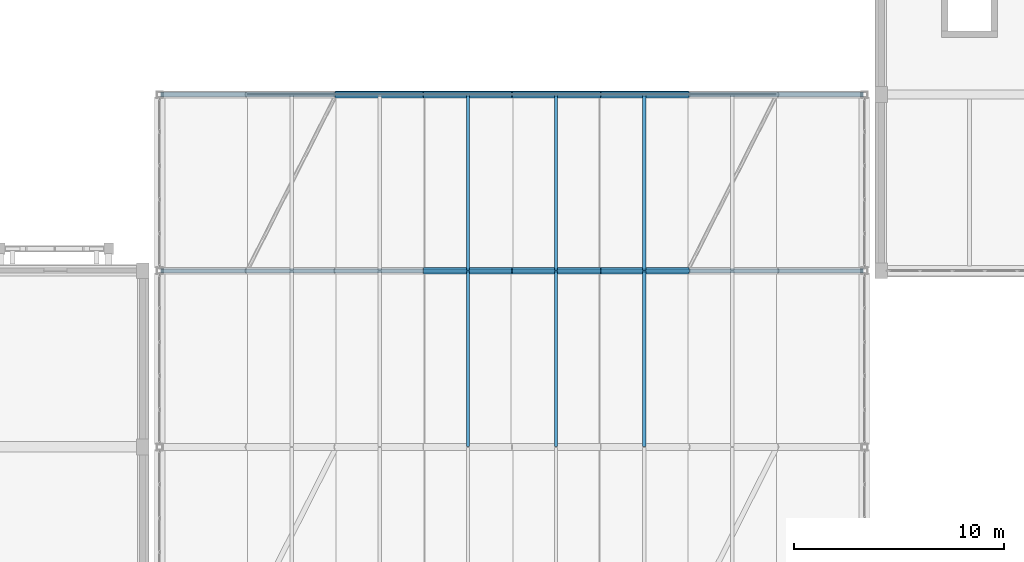
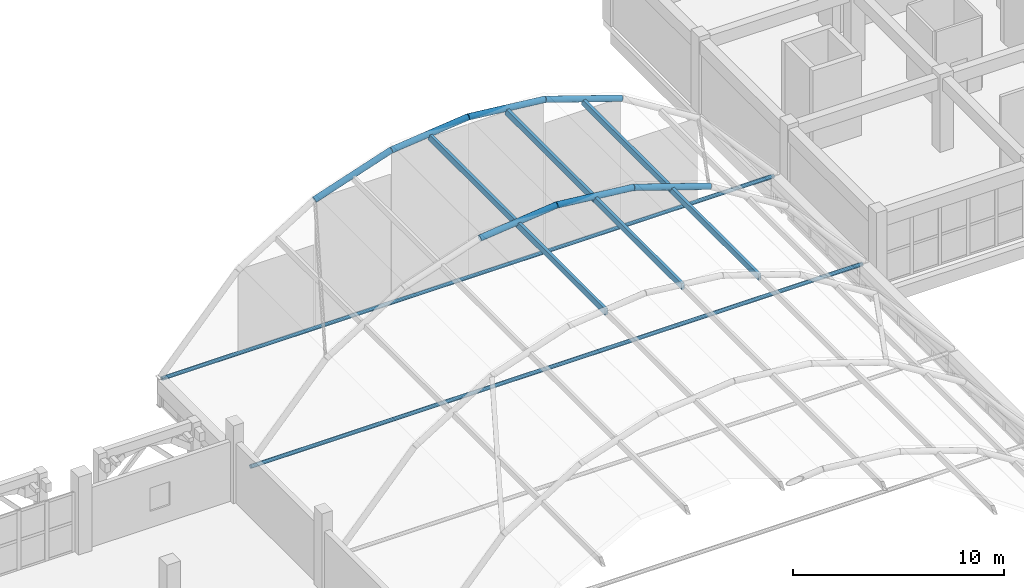
# One storey, part 66 of 114: 9 beams, 6 members.
"""IFC4 building model written with IfcOpenShell, lengths in metres."""

from ifc_helpers import new_model, si_unit, direction, frame, origin, origin_2d, place, context, subcontext, project, spatial, rectangle, hollow_circle, extrude, material, material_profile, profile_set, type_object, element, save


model = new_model("IFC4")

# Units and contexts
model_context = context("Model", 3, precision=1e-05, world=origin(), true_north=direction((0.0, 1.0)))
body_context = subcontext(model_context, "Body", "Model", "MODEL_VIEW")
ifc_project = project(units=[si_unit("LENGTHUNIT", "METRE"), si_unit("AREAUNIT", "SQUARE_METRE"), si_unit("VOLUMEUNIT", "CUBIC_METRE"), si_unit("PLANEANGLEUNIT", "RADIAN"), si_unit("MASSUNIT", "GRAM", prefix="KILO")], contexts=[model_context])

# Site, building, storey
site_placement = place(None, origin())
site = spatial("IfcSite", under=ifc_project, at=site_placement, CompositionType="ELEMENT")
building_placement = place(site_placement, origin())
building = spatial("IfcBuilding", under=site, at=building_placement, Name="Xazarin Passage Department Store", CompositionType="ELEMENT")
storey_placement = place(building_placement, frame((0.0, 0.0, 14.39990234375)))
storey = spatial("IfcBuildingStorey", under=building, at=storey_placement, Name="L03", CompositionType="ELEMENT", Elevation=14.39990234375)

# Beams
ifc_material_1 = material(Name="Steel S355", Category="steel")
ifc_material_profile_1 = material_profile(ifc_material_1, hollow_circle(Radius=0.161865234375, WallThickness=0.01611328125, at=origin_2d()), Name="CHS 323.9x16")
ifc_profile_set_1 = profile_set([ifc_material_profile_1], Name="Steel S355")
beam_type_1 = type_object("IfcBeamType", Name="STR-BM-AR324", PredefinedType="BEAM", material=ifc_profile_set_1)
for number, where, z_axis, x_axis, name in (
    (1, (80.60009765625, 84.800048828125, 10.35400390625), (0.994407785938, 0.0, 0.105608499966), (0.0, 1.0, 0.0), "V2N Primary Arch Rib 5.4"),
    (2, (84.800048828125, 84.800048828125, 10.800048828125), (0.994407785938, 0.0, -0.105608499966), (0.0, 1.0, 0.0), "V2N Primary Arch Rib 5.5"),
):
    element("IfcBeam", number, at=place(storey_placement, frame(where, z_axis=z_axis, x_axis=x_axis)), inside=storey, type_object=beam_type_1, Name=name, PredefinedType="BEAM", context=body_context, shape_type="SweptSolid", body=[
        extrude(hollow_circle(Radius=0.161865234375, WallThickness=0.01611328125, at=origin_2d()), origin(), (0.0, 0.0, 1.0), 4.2236328125),
    ])
beam_1_placement = place(storey_placement, frame((89.0, 84.800048828125, 10.35400390625), z_axis=(0.948457009421, 0.0, -0.316905823993), x_axis=(0.0, 1.0, 0.0)))
element("IfcBeam", 3, at=beam_1_placement, inside=storey, type_object=beam_type_1, Name="V2N Primary Arch Rib 5.6", PredefinedType="BEAM", context=body_context, shape_type="SweptSolid", body=[
    extrude(hollow_circle(Radius=0.161865234375, WallThickness=0.01611328125, at=origin_2d()), origin(), (0.0, 0.0, 1.0), 4.42822265625),
])
beam_2_placement = place(storey_placement, frame((76.39990234375, 93.199951171875, 8.95068359375), z_axis=(0.948462545979, 0.0, 0.31688925333), x_axis=(0.0, 1.0, 0.0)))
element("IfcBeam", 4, at=beam_2_placement, inside=storey, type_object=beam_type_1, Name="V2N Primary Arch Rib 6.3", PredefinedType="BEAM", context=body_context, shape_type="SweptSolid", body=[
    extrude(hollow_circle(Radius=0.161865234375, WallThickness=0.01611328125, at=origin_2d()), origin(), (0.0, 0.0, 1.0), 4.428466796875),
])
for number, where, z_axis, x_axis, name in (
    (5, (80.60009765625, 93.199951171875, 10.35400390625), (0.994407785938, 0.0, 0.105608499966), (0.0, 1.0, 0.0), "V2N Primary Arch Rib 6.4"),
    (6, (84.800048828125, 93.199951171875, 10.800048828125), (0.994407785938, 0.0, -0.105608499966), (0.0, 1.0, 0.0), "V2N Primary Arch Rib 6.5"),
):
    element("IfcBeam", number, at=place(storey_placement, frame(where, z_axis=z_axis, x_axis=x_axis)), inside=storey, type_object=beam_type_1, Name=name, PredefinedType="BEAM", context=body_context, shape_type="SweptSolid", body=[
        extrude(hollow_circle(Radius=0.161865234375, WallThickness=0.01611328125, at=origin_2d()), origin(), (0.0, 0.0, 1.0), 4.2236328125),
    ])
beam_3_placement = place(storey_placement, frame((89.0, 93.199951171875, 10.35400390625), z_axis=(0.948457009421, 0.0, -0.316905823993), x_axis=(0.0, 1.0, 0.0)))
element("IfcBeam", 7, at=beam_3_placement, inside=storey, type_object=beam_type_1, Name="V2N Primary Arch Rib 6.6", PredefinedType="BEAM", context=body_context, shape_type="SweptSolid", body=[
    extrude(hollow_circle(Radius=0.161865234375, WallThickness=0.01611328125, at=origin_2d()), origin(), (0.0, 0.0, 1.0), 4.42822265625),
])
ifc_material_profile_2 = material_profile(ifc_material_1, hollow_circle(Radius=0.109619140625, WallThickness=0.012451171875, at=origin_2d()), Name="CHS 219.1x12.5")
ifc_profile_set_2 = profile_set([ifc_material_profile_2], Name="Steel S355")
beam_type_2 = type_object("IfcBeamType", Name="STR-BM-TIE219", PredefinedType="BEAM", material=ifc_profile_set_2)
for number, where, z_axis, x_axis, name in (
    (8, (68.050048828125, 84.800048828125, 1.53173828125), (1.0, 0.0, 0.0), (0.0, 1.0, 0.0), "V2N Arch Tie Beam 5"),
    (9, (68.050048828125, 93.199951171875, 1.53173828125), (1.0, 0.0, 0.0), (0.0, 1.0, 0.0), "V2N Arch Tie Beam 6"),
):
    element("IfcBeam", number, at=place(storey_placement, frame(where, z_axis=z_axis, x_axis=x_axis)), inside=storey, type_object=beam_type_2, Name=name, PredefinedType="BEAM", context=body_context, shape_type="SweptSolid", body=[
        extrude(hollow_circle(Radius=0.109619140625, WallThickness=0.012451171875, at=origin_2d()), origin(), (0.0, 0.0, 1.0), 33.5),
    ])

# Members
ifc_material_2 = material(Name="Glulam GL28h", Category="wood")
ifc_material_profile_3 = material_profile(ifc_material_2, rectangle(XDim=0.159912109375, YDim=0.360107421875, at=origin_2d()), Name="GL28h 160x360")
ifc_profile_set_3 = profile_set([ifc_material_profile_3], Name="Glulam GL28h")
member_type = type_object("IfcMemberType", Name="STR-MEM-GL360", PredefinedType="PURLIN", material=ifc_profile_set_3)
for number, where, z_axis, x_axis, name in (
    (10, (82.699951171875, 76.419921875, 10.439208984375), (0.0, 1.0, 0.0), (-1.0, 0.0, 0.0), "V2N Glulam Gridshell Purlin 4.4"),
    (11, (86.89990234375, 76.419921875, 10.439208984375), (0.0, 1.0, 0.0), (-1.0, 0.0, 0.0), "V2N Glulam Gridshell Purlin 4.5"),
    (12, (91.10009765625, 76.419921875, 9.514404296875), (0.0, 1.0, 0.0), (-1.0, 0.0, 0.0), "V2N Glulam Gridshell Purlin 4.6"),
):
    element("IfcMember", number, at=place(storey_placement, frame(where, z_axis=z_axis, x_axis=x_axis)), inside=storey, type_object=member_type, Name=name, PredefinedType="PURLIN", context=body_context, shape_type="SweptSolid", body=[
        extrude(rectangle(XDim=0.159912109375, YDim=0.360107421875, at=origin_2d()), origin(), (0.0, 0.0, 1.0), 8.360107421875),
    ])
for number, where, z_axis, x_axis, name in (
    (13, (82.699951171875, 84.820068359375, 10.439208984375), (0.0, 1.0, 0.0), (-1.0, 0.0, 0.0), "V2N Glulam Gridshell Purlin 5.4"),
    (14, (86.89990234375, 84.820068359375, 10.439208984375), (0.0, 1.0, 0.0), (-1.0, 0.0, 0.0), "V2N Glulam Gridshell Purlin 5.5"),
    (15, (91.10009765625, 84.820068359375, 9.514404296875), (0.0, 1.0, 0.0), (-1.0, 0.0, 0.0), "V2N Glulam Gridshell Purlin 5.6"),
):
    element("IfcMember", number, at=place(storey_placement, frame(where, z_axis=z_axis, x_axis=x_axis)), inside=storey, type_object=member_type, Name=name, PredefinedType="PURLIN", context=body_context, shape_type="SweptSolid", body=[
        extrude(rectangle(XDim=0.159912109375, YDim=0.360107421875, at=origin_2d()), origin(), (0.0, 0.0, 1.0), 8.35986328125),
    ])

save(model, "model.ifc")
